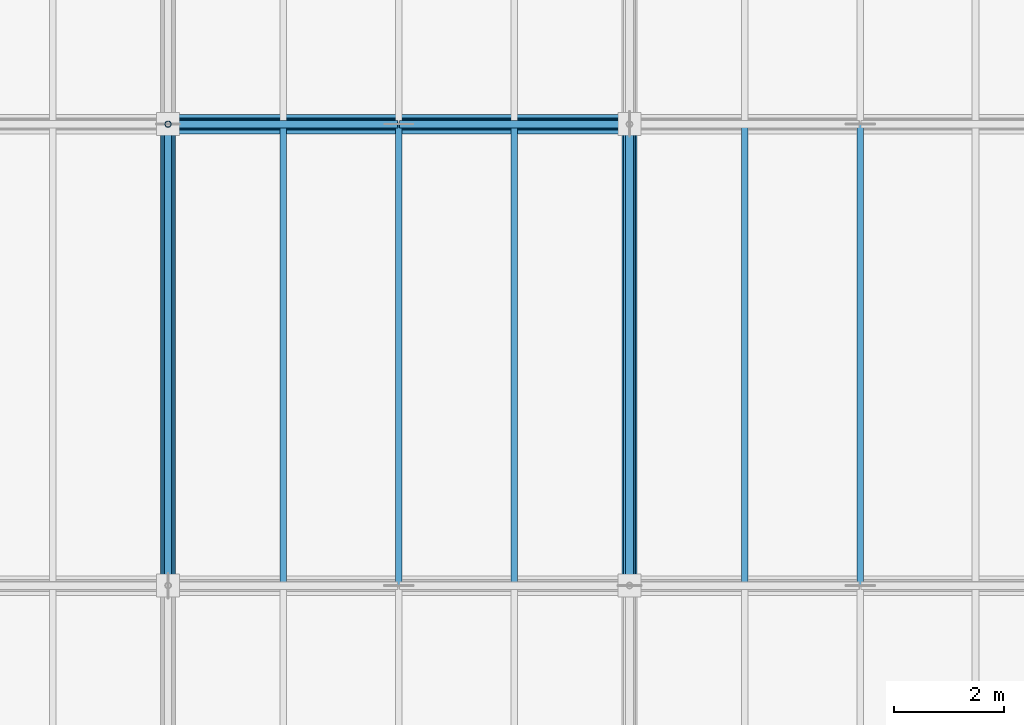
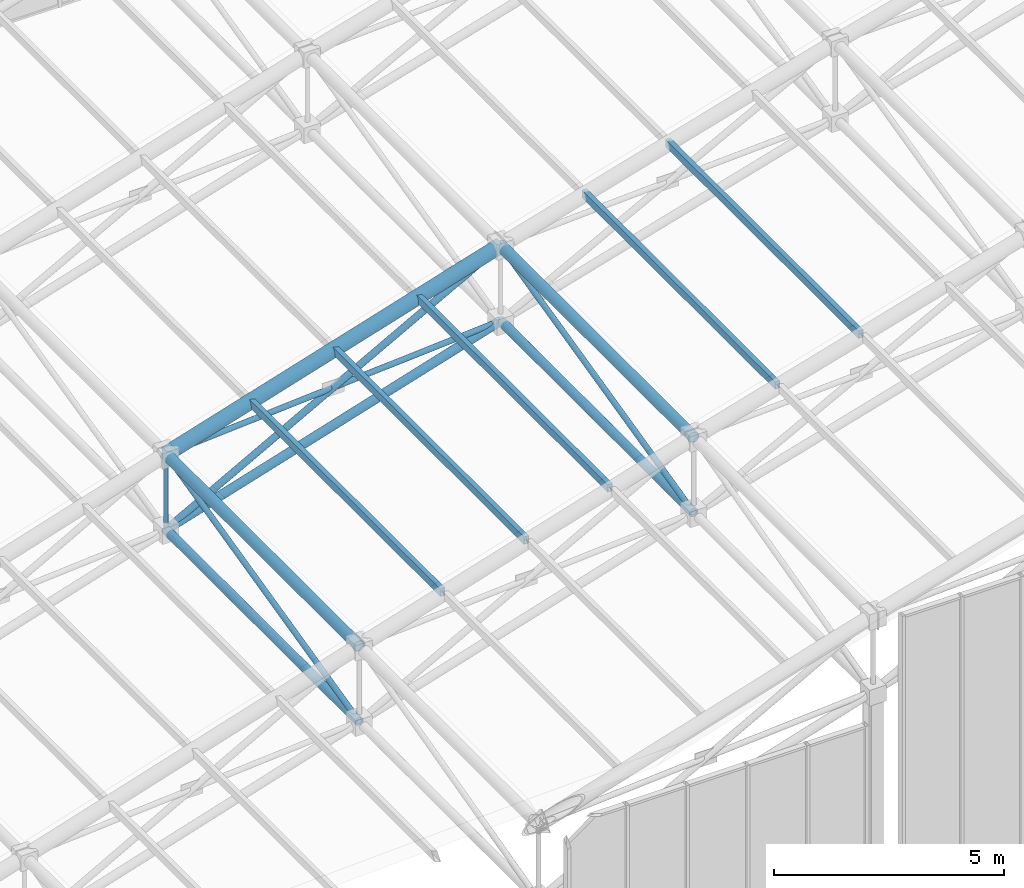
# One storey, part 35 of 144: 17 members.
"""IFC4 building model written with IfcOpenShell, lengths in metres."""

from ifc_helpers import new_model, si_unit, direction, frame, origin, origin_2d, place, context, subcontext, project, spatial, hollow_rectangle, hollow_circle, extrude, material, material_profile, profile_set, type_object, element, save


model = new_model("IFC4")

# Units and contexts
model_context = context("Model", 3, precision=1e-05, world=origin(), true_north=direction((0.0, 1.0)))
body_context = subcontext(model_context, "Body", "Model", "MODEL_VIEW")
ifc_project = project(units=[si_unit("LENGTHUNIT", "METRE"), si_unit("AREAUNIT", "SQUARE_METRE"), si_unit("VOLUMEUNIT", "CUBIC_METRE"), si_unit("PLANEANGLEUNIT", "RADIAN"), si_unit("MASSUNIT", "GRAM", prefix="KILO")], contexts=[model_context])

# Site, building, storey
site_placement = place(None, origin())
site = spatial("IfcSite", under=ifc_project, at=site_placement, CompositionType="ELEMENT")
building_placement = place(site_placement, origin())
building = spatial("IfcBuilding", under=site, at=building_placement, Name="Zayran Congress Hotel", CompositionType="ELEMENT")
storey_placement = place(building_placement, frame((0.0, 0.0, 19.199951171875)))
storey = spatial("IfcBuildingStorey", under=building, at=storey_placement, Name="L04", CompositionType="ELEMENT", Elevation=19.199951171875)

# Members
ifc_material = material(Name="Steel S355", Category="steel")
ifc_material_profile_1 = material_profile(ifc_material, hollow_circle(Radius=0.177734375, WallThickness=0.01611328125, at=origin_2d()), Name="CHS 355.6x16")
ifc_profile_set_1 = profile_set([ifc_material_profile_1], Name="Steel S355")
member_type_1 = type_object("IfcMemberType", Name="TP-SF-TC1", PredefinedType="CHORD", material=ifc_profile_set_1)
member_1_placement = place(storey_placement, frame((25.199951171875, 84.39990234375, 7.302001953125), z_axis=(0.955284210171, 0.0, 0.29568915739), x_axis=(0.0, 1.0, 0.0)))
element("IfcMember", 1, at=member_1_placement, inside=storey, type_object=member_type_1, Name="Space Frame Top Chord X 129", PredefinedType="CHORD", context=body_context, shape_type="SweptSolid", body=[
    extrude(hollow_circle(Radius=0.177734375, WallThickness=0.01611328125, at=origin_2d()), origin(), (0.0, 0.0, 1.0), 8.79345703125),
])
ifc_material_profile_2 = material_profile(ifc_material, hollow_circle(Radius=0.136474609375, WallThickness=0.012451171875, at=origin_2d()), Name="CHS 273x12.5")
ifc_profile_set_2 = profile_set([ifc_material_profile_2], Name="Steel S355")
member_type_2 = type_object("IfcMemberType", Name="TP-SF-TC2", PredefinedType="CHORD", material=ifc_profile_set_2)
for number, where, z_axis, x_axis, name in (
    (2, (25.199951171875, 76.0, 7.302001953125), (0.0, 1.0, 0.0), (-1.0, 0.0, 0.0), "Space Frame Top Chord Y 125"),
    (3, (33.60009765625, 76.0, 9.902099609375), (0.0, 1.0, 0.0), (-1.0, 0.0, 0.0), "Space Frame Top Chord Y 178"),
):
    element("IfcMember", number, at=place(storey_placement, frame(where, z_axis=z_axis, x_axis=x_axis)), inside=storey, type_object=member_type_2, Name=name, PredefinedType="CHORD", context=body_context, shape_type="SweptSolid", body=[
        extrude(hollow_circle(Radius=0.136474609375, WallThickness=0.012451171875, at=origin_2d()), origin(), (0.0, 0.0, 1.0), 8.39990234375),
    ])
ifc_material_profile_3 = material_profile(ifc_material, hollow_circle(Radius=0.109619140625, WallThickness=0.010009765625, at=origin_2d()), Name="CHS 219.1x10")
ifc_profile_set_3 = profile_set([ifc_material_profile_3], Name="Steel S355")
member_type_3 = type_object("IfcMemberType", Name="TP-SF-BC1", PredefinedType="CHORD", material=ifc_profile_set_3)
member_2_placement = place(storey_placement, frame((25.199951171875, 76.0, 5.300048828125), z_axis=(0.0, 1.0, 0.0), x_axis=(-1.0, 0.0, 0.0)))
element("IfcMember", 4, at=member_2_placement, inside=storey, type_object=member_type_3, Name="Space Frame Bottom Chord Y 126", PredefinedType="CHORD", context=body_context, shape_type="SweptSolid", body=[
    extrude(hollow_circle(Radius=0.109619140625, WallThickness=0.010009765625, at=origin_2d()), origin(), (0.0, 0.0, 1.0), 8.39990234375),
])
member_3_placement = place(storey_placement, frame((25.199951171875, 84.39990234375, 5.300048828125), z_axis=(0.955284210171, 0.0, 0.29568915739), x_axis=(0.0, 1.0, 0.0)))
element("IfcMember", 5, at=member_3_placement, inside=storey, type_object=member_type_3, Name="Space Frame Bottom Chord X 130", PredefinedType="CHORD", context=body_context, shape_type="SweptSolid", body=[
    extrude(hollow_circle(Radius=0.109619140625, WallThickness=0.010009765625, at=origin_2d()), origin(), (0.0, 0.0, 1.0), 8.79345703125),
])
member_4_placement = place(storey_placement, frame((33.60009765625, 76.0, 7.900146484375), z_axis=(0.0, 1.0, 0.0), x_axis=(-1.0, 0.0, 0.0)))
element("IfcMember", 6, at=member_4_placement, inside=storey, type_object=member_type_3, Name="Space Frame Bottom Chord Y 179", PredefinedType="CHORD", context=body_context, shape_type="SweptSolid", body=[
    extrude(hollow_circle(Radius=0.109619140625, WallThickness=0.010009765625, at=origin_2d()), origin(), (0.0, 0.0, 1.0), 8.39990234375),
])
ifc_material_profile_4 = material_profile(ifc_material, hollow_circle(Radius=0.084228515625, WallThickness=0.008056640625, at=origin_2d()), Name="CHS 168.3x8")
ifc_profile_set_4 = profile_set([ifc_material_profile_4], Name="Steel S355")
member_type_4 = type_object("IfcMemberType", Name="TP-SF-DG1", PredefinedType="BRACE", material=ifc_profile_set_4)
member_5_placement = place(storey_placement, frame((25.199951171875, 84.39990234375, 5.300048828125), z_axis=(0.877009581124, 0.0, 0.480472886453), x_axis=(0.0, 1.0, 0.0)))
element("IfcMember", 7, at=member_5_placement, inside=storey, type_object=member_type_4, Name="Space Frame Web Diagonal X 131", PredefinedType="BRACE", context=body_context, shape_type="SweptSolid", body=[
    extrude(hollow_circle(Radius=0.084228515625, WallThickness=0.008056640625, at=origin_2d()), origin(), (0.0, 0.0, 1.0), 9.578125),
])
ifc_material_profile_5 = material_profile(ifc_material, hollow_circle(Radius=0.06982421875, WallThickness=0.00634765625, at=origin_2d()), Name="CHS 139.7x6.3")
ifc_profile_set_5 = profile_set([ifc_material_profile_5], Name="Steel S355")
member_type_5 = type_object("IfcMemberType", Name="TP-SF-DG2", PredefinedType="BRACE", material=ifc_profile_set_5)
member_6_placement = place(storey_placement, frame((25.199951171875, 76.0, 5.300048828125), z_axis=(0.0, 0.97275461998, 0.231837118056), x_axis=(-1.0, 0.0, 0.0)))
element("IfcMember", 8, at=member_6_placement, inside=storey, type_object=member_type_5, Name="Space Frame Web Diagonal Y 127", PredefinedType="BRACE", context=body_context, shape_type="SweptSolid", body=[
    extrude(hollow_circle(Radius=0.06982421875, WallThickness=0.00634765625, at=origin_2d()), origin(), (0.0, 0.0, 1.0), 8.63525390625),
])
for number, where, z_axis, x_axis, name in (
    (9, (25.199951171875, 84.39990234375, 7.302001953125), (0.99747698019, 0.0, 0.07099066129), (0.0, 1.0, 0.0), "Space Frame Counter Diagonal X Upper 132"),
    (10, (29.4150390625, 84.39990234375, 7.60205078125), (0.997472858069, 0.0, 0.071048556744), (0.0, 1.0, 0.0), "Space Frame Counter Diagonal X Lower 23"),
):
    element("IfcMember", number, at=place(storey_placement, frame(where, z_axis=z_axis, x_axis=x_axis)), inside=storey, type_object=member_type_5, Name=name, PredefinedType="BRACE", context=body_context, shape_type="SweptSolid", body=[
        extrude(hollow_circle(Radius=0.06982421875, WallThickness=0.00634765625, at=origin_2d()), origin(), (0.0, 0.0, 1.0), 4.195556640625),
    ])
member_7_placement = place(storey_placement, frame((33.60009765625, 76.0, 7.900146484375), z_axis=(0.0, 0.97275461998, 0.231837118056), x_axis=(-1.0, 0.0, 0.0)))
element("IfcMember", 11, at=member_7_placement, inside=storey, type_object=member_type_5, Name="Space Frame Web Diagonal Y 180", PredefinedType="BRACE", context=body_context, shape_type="SweptSolid", body=[
    extrude(hollow_circle(Radius=0.06982421875, WallThickness=0.00634765625, at=origin_2d()), origin(), (0.0, 0.0, 1.0), 8.63525390625),
])
ifc_material_profile_6 = material_profile(ifc_material, hollow_circle(Radius=0.05712890625, WallThickness=0.00634765625, at=origin_2d()), Name="CHS 114.3x6.3")
ifc_profile_set_6 = profile_set([ifc_material_profile_6], Name="Steel S355")
member_type_6 = type_object("IfcMemberType", Name="TP-SF-DG3", PredefinedType="BRACE", material=ifc_profile_set_6)
member_8_placement = place(storey_placement, frame((25.199951171875, 84.39990234375, 5.300048828125), z_axis=(0.0, 0.0, 1.0), x_axis=(0.0, 1.0, 0.0)))
element("IfcMember", 12, at=member_8_placement, inside=storey, type_object=member_type_6, Name="Space Frame Web Strut 136", PredefinedType="BRACE", context=body_context, shape_type="SweptSolid", body=[
    extrude(hollow_circle(Radius=0.05712890625, WallThickness=0.00634765625, at=origin_2d()), origin(), (0.0, 0.0, 1.0), 2.001953125),
])
ifc_material_profile_7 = material_profile(ifc_material, hollow_rectangle(XDim=0.1201171875, YDim=0.199951171875, WallThickness=0.008056640625, at=origin_2d()), Name="RHS 200x120x8")
ifc_profile_set_7 = profile_set([ifc_material_profile_7], Name="Steel S355")
member_type_7 = type_object("IfcMemberType", Name="TP-PR-01", PredefinedType="PURLIN", material=ifc_profile_set_7)
for number, where, z_axis, x_axis, name in (
    (13, (27.300048828125, 76.0, 7.994140625), (0.0, 1.0, 0.0), (-1.0, 0.0, 0.0), "MEM-PR-V1-0038"),
    (14, (29.39990234375, 76.0, 8.64404296875), (0.0, 1.0, 0.0), (-1.0, 0.0, 0.0), "MEM-PR-V1-0044"),
    (15, (31.5, 76.0, 9.2939453125), (0.0, 1.0, 0.0), (-1.0, 0.0, 0.0), "MEM-PR-V1-0050"),
    (16, (35.699951171875, 76.0, 10.556640625), (0.0, 1.0, 0.0), (-1.0, 0.0, 0.0), "MEM-PR-V1-0056"),
    (17, (37.800048828125, 76.0, 11.1689453125), (0.0, 1.0, 0.0), (-1.0, 0.0, 0.0), "MEM-PR-V1-0062"),
):
    element("IfcMember", number, at=place(storey_placement, frame(where, z_axis=z_axis, x_axis=x_axis)), inside=storey, type_object=member_type_7, Name=name, PredefinedType="PURLIN", context=body_context, shape_type="SweptSolid", body=[
        extrude(hollow_rectangle(XDim=0.1201171875, YDim=0.199951171875, WallThickness=0.008056640625, at=origin_2d()), origin(), (0.0, 0.0, 1.0), 8.39990234375),
    ])

save(model, "model.ifc")
